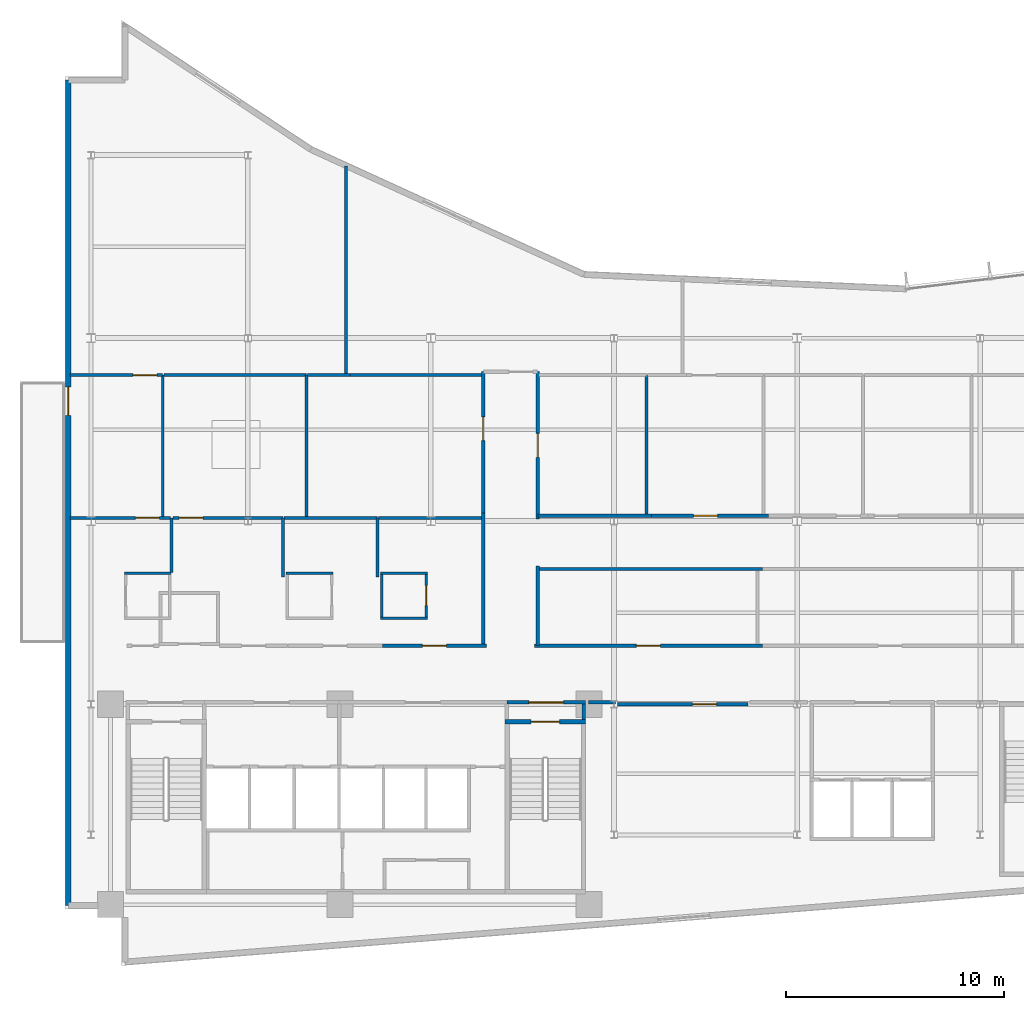
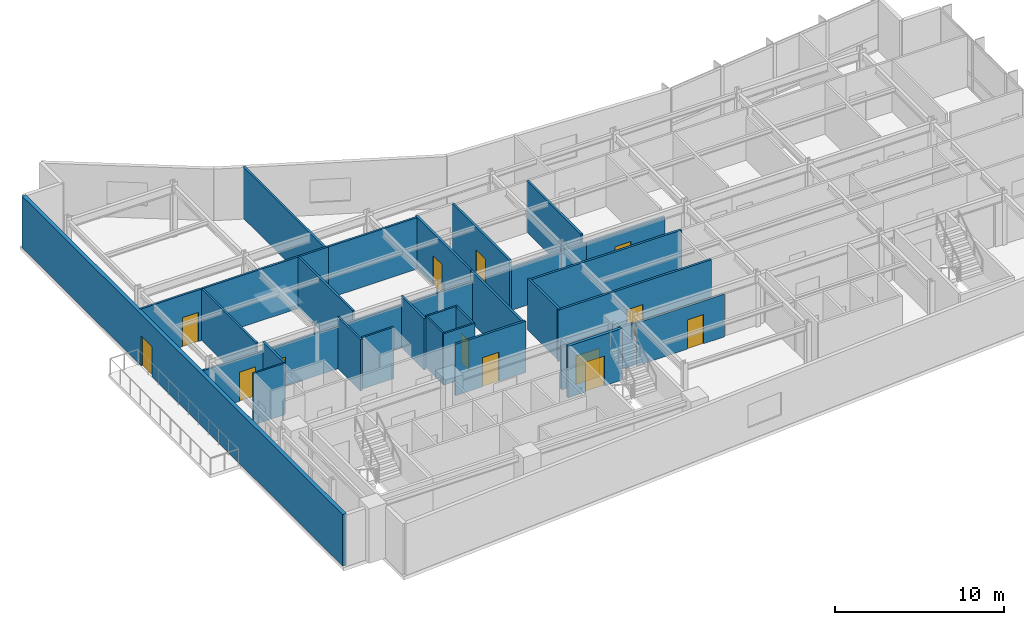
# One storey, part 11 of 17: 36 walls, 13 doors, 13 openings.
"""IFC4 building model written with IfcOpenShell, lengths in metres."""

import ifcopenshell
import ifcopenshell.guid

model = None  # the IFC model being written
_history = None  # IfcOwnerHistory: only IFC2X3 demands one
_inside = {}  # id of a spatial element -> (the spatial element, [elements in it])
_under = {}  # id of a project, library or spatial element -> (it, [spatial elements below it])
_declared = {}  # id of a project -> (the project, [libraries it declares])
_typed = {}  # id of a type object -> (the type object, [elements of that type])
_made_of = {}  # id of a material, layer set ... -> (it, [elements and type objects made of it])


def new_model(schema):
    """Start an empty IFC model of exactly this schema.

    Asked for "IFC4X3", IfcOpenShell would pick the latest addendum, in which some entities
    have other attributes; the version numbers below select the first issue.
    IFC2X3 requires an IfcOwnerHistory on every rooted entity: one is made here for all.
    """
    global model, _history
    if schema == "IFC4X3":
        model = ifcopenshell.file(schema_version=(4, 3, 0, 0))
    else:
        model = ifcopenshell.file(schema=schema)
    _inside.clear()
    _under.clear()
    _declared.clear()
    _typed.clear()
    _made_of.clear()
    _history = None
    if model.schema == "IFC2X3":
        org = make("IfcOrganization", Name="unknown")
        user = make(
            "IfcPersonAndOrganization",
            ThePerson=make("IfcPerson", FamilyName="unknown"),
            TheOrganization=org,
        )
        app = make(
            "IfcApplication",
            ApplicationDeveloper=org,
            Version="unknown",
            ApplicationFullName="unknown",
            ApplicationIdentifier="unknown",
        )
        _history = make(
            "IfcOwnerHistory",
            OwningUser=user,
            OwningApplication=app,
            ChangeAction="ADDED",
            CreationDate=0,
        )
    return model


def make(cls, **values):
    """One entity of the class cls with the attributes given. An attribute that is None is left unset."""
    return model.create_entity(
        cls, **{name: value for name, value in values.items() if value is not None}
    )


def rooted(cls, **values):
    """An entity with a GlobalId (a new one), such as an element, a storey or a relation."""
    return make(cls, GlobalId=ifcopenshell.guid.new(), OwnerHistory=_history, **values)


def si_unit(unit_type, name, prefix=None):
    """IfcSIUnit, for example si_unit("LENGTHUNIT", "METRE", prefix="MILLI")."""
    return make("IfcSIUnit", UnitType=unit_type, Prefix=prefix, Name=name)


def assignment(units):
    """IfcUnitAssignment: the units of a project."""
    return None if units is None else make("IfcUnitAssignment", Units=units)


def point(xyz):
    """IfcCartesianPoint."""
    return None if xyz is None else make("IfcCartesianPoint", Coordinates=xyz)


def direction(xyz):
    """IfcDirection."""
    return None if xyz is None else make("IfcDirection", DirectionRatios=xyz)


def frame(location, z_axis=None, x_axis=None):
    """IfcAxis2Placement3D, a coordinate frame: its origin and axes. An axis left out is left unset."""
    return make(
        "IfcAxis2Placement3D",
        Location=point(location),
        Axis=direction(z_axis),
        RefDirection=direction(x_axis),
    )


def frame_2d(location, x_axis=None):
    """IfcAxis2Placement2D, a coordinate frame in the plane: its origin and x axis."""
    return make(
        "IfcAxis2Placement2D", Location=point(location), RefDirection=direction(x_axis)
    )


def origin():
    """The frame at (0, 0, 0) with its axes left unset."""
    return frame((0.0, 0.0, 0.0))


def place(relative_to, where):
    """IfcLocalPlacement: puts the frame where relative to a parent placement (None: the world)."""
    return make(
        "IfcLocalPlacement", PlacementRelTo=relative_to, RelativePlacement=where
    )


def context(
    kind, dimensions, precision=None, world=None, true_north=None, identifier=None
):
    """IfcGeometricRepresentationContext, for example the 3D "Model" context."""
    return make(
        "IfcGeometricRepresentationContext",
        ContextIdentifier=identifier,
        ContextType=kind,
        CoordinateSpaceDimension=dimensions,
        Precision=precision,
        WorldCoordinateSystem=world,
        TrueNorth=true_north,
    )


def subcontext(parent, identifier, kind, view, scale=None):
    """IfcGeometricRepresentationSubContext, for example "Body" below "Model"."""
    return make(
        "IfcGeometricRepresentationSubContext",
        ContextIdentifier=identifier,
        ContextType=kind,
        ParentContext=parent,
        TargetScale=scale,
        TargetView=view,
    )


def project(units=None, contexts=None):
    """IfcProject with its units and contexts."""
    return rooted(
        "IfcProject",
        Name="project",
        RepresentationContexts=contexts,
        UnitsInContext=assignment(units),
    )


def spatial(cls, under=None, at=None, **own):
    """A site, building, storey or space (cls), placed at a placement, below another one or the project."""
    s = rooted(cls, ObjectPlacement=at, **own)
    if under is not None:
        _under.setdefault(under.id(), (under, []))[1].append(s)
    return s


def profile(cls, at=None, kind="AREA", **sizes):
    """A parametric profile (cls). Its sizes go by their IFC names, for example OverallWidth=200.0."""
    return make(cls, ProfileType=kind, Position=at, **sizes)


def rectangle(**sizes):
    """IfcRectangleProfileDef."""
    return profile("IfcRectangleProfileDef", **sizes)


def extrude(swept, where, along, depth):
    """IfcExtrudedAreaSolid: the profile swept, set in the frame where, extruded along a direction by depth."""
    return make(
        "IfcExtrudedAreaSolid",
        SweptArea=swept,
        Position=where,
        ExtrudedDirection=direction(along),
        Depth=depth,
    )


def shape(context_of_items, identifier, shape_type, items):
    """IfcShapeRepresentation: the items that make up one representation, for example the "Body"."""
    return make(
        "IfcShapeRepresentation",
        ContextOfItems=context_of_items,
        RepresentationIdentifier=identifier,
        RepresentationType=shape_type,
        Items=items,
    )


def material(Name=None, Category=None):
    """IfcMaterial."""
    return make("IfcMaterial", Name=Name, Category=Category)


def layer(
    of_material, thickness, ventilated=None, Name=None, Category=None, Priority=None
):
    """IfcMaterialLayer: one layer of a wall or slab, of a material (None: an air gap)."""
    return make(
        "IfcMaterialLayer",
        Material=of_material,
        LayerThickness=thickness,
        IsVentilated=ventilated,
        Name=Name,
        Category=Category,
        Priority=Priority,
    )


def layer_set(layers, Name=None):
    """IfcMaterialLayerSet."""
    return make("IfcMaterialLayerSet", MaterialLayers=layers, LayerSetName=Name)


def made_of(thing, what):
    """Note that an element or type object is made of a material, layer set ...; save() writes the relation."""
    if what is not None:
        _made_of.setdefault(what.id(), (what, []))[1].append(thing)
    return thing


def type_object(cls, material=None, **own):
    """A type object (cls), such as IfcWallType, which elements share."""
    return made_of(rooted(cls, **own), material)


def element(
    cls,
    number,
    at=None,
    inside=None,
    cuts=None,
    type_object=None,
    material=None,
    context=None,
    identifier="Body",
    shape_type=None,
    held_by="IfcProductDefinitionShape",
    body=None,
    shapes=None,
    **own,
):
    """One element of the class cls, such as IfcWall. Its Tag is "e" and its number.

    at: its placement. inside: the storey or other place that contains it. cuts: it is an
    opening in that element (IfcRelVoidsElement). A single representation is given by context,
    identifier, shape_type and body (its items); several are given by shapes. held_by: the class
    of the entity that holds the representations. save() writes the other relations.
    """
    e = rooted(cls, Tag="e%d" % number, ObjectPlacement=at, **own)
    if body is not None:
        shapes = [shape(context, identifier, shape_type, body)]
    if shapes is not None:
        e.Representation = make(held_by, Representations=shapes)
    if inside is not None:
        _inside.setdefault(inside.id(), (inside, []))[1].append(e)
    if cuts is not None:
        rooted(
            "IfcRelVoidsElement", RelatingBuildingElement=cuts, RelatedOpeningElement=e
        )
    if type_object is not None:
        _typed.setdefault(type_object.id(), (type_object, []))[1].append(e)
    return made_of(e, material)


def fill(opening, filler):
    """IfcRelFillsElement: the door or window that sits in an opening."""
    return rooted(
        "IfcRelFillsElement",
        RelatingOpeningElement=opening,
        RelatedBuildingElement=filler,
    )


def aggregate(whole, parts):
    """IfcRelAggregates: a whole, such as a stair, and the parts it consists of."""
    return rooted("IfcRelAggregates", RelatingObject=whole, RelatedObjects=parts)


def save(model, path):
    """Write the relations noted so far, then the file.

    IfcRelAggregates (storeys below a building ...), IfcRelContainedInSpatialStructure (elements
    in a storey), IfcRelDefinesByType, IfcRelAssociatesMaterial and IfcRelDeclares: one each for
    every whole, place, type object, material and project.
    """
    for whole, parts in _under.values():
        aggregate(whole, parts)
    for where, things in _inside.values():
        rooted(
            "IfcRelContainedInSpatialStructure",
            RelatedElements=things,
            RelatingStructure=where,
        )
    for kind, things in _typed.values():
        rooted("IfcRelDefinesByType", RelatedObjects=things, RelatingType=kind)
    for what, things in _made_of.values():
        rooted("IfcRelAssociatesMaterial", RelatedObjects=things, RelatingMaterial=what)
    for by, libraries in _declared.values():
        rooted("IfcRelDeclares", RelatingContext=by, RelatedDefinitions=libraries)
    model.write(path)


model = new_model("IFC4")

# Units and contexts
model_context = context("Model", 3, precision=1e-05, world=origin(), true_north=direction((0.0, 1.0)))
body_context = subcontext(model_context, "Body", "Model", "MODEL_VIEW")
ifc_project = project(units=[si_unit("LENGTHUNIT", "METRE"), si_unit("AREAUNIT", "SQUARE_METRE"), si_unit("VOLUMEUNIT", "CUBIC_METRE"), si_unit("PLANEANGLEUNIT", "RADIAN"), si_unit("MASSUNIT", "GRAM", prefix="KILO")], contexts=[model_context])

# Site, building, storey
site_placement = place(None, origin())
site = spatial("IfcSite", under=ifc_project, at=site_placement, CompositionType="ELEMENT")
building_placement = place(site_placement, origin())
building = spatial("IfcBuilding", under=site, at=building_placement, Name="Varnakote Quay Hospital", CompositionType="ELEMENT")
storey_placement = place(building_placement, frame((0.0, 0.0, 127.050048828125)))
storey = spatial("IfcBuildingStorey", under=building, at=storey_placement, Name="L31", CompositionType="ELEMENT", Elevation=127.050048828125)

# Wall, opening, door
ifc_material_1 = material(Name="Fire-rated acoustic gypsum stud wall", Category="gypsum")
ifc_layer_1 = layer(ifc_material_1, 0.159912109375)
ifc_layer_set_1 = layer_set([ifc_layer_1], Name="Fire-rated acoustic gypsum stud wall")
wall_type_1 = type_object("IfcWallType", Name="WL-COMP-160", PredefinedType="PARTITIONING", material=ifc_layer_set_1)
wall_1_placement = place(storey_placement, frame((20.280029296875, 12.080078125, 0.0), z_axis=(0.0, 0.0, 1.0), x_axis=(1.0, 0.0, 0.0)))
wall_1 = element("IfcWall", 1, at=wall_1_placement, inside=storey, type_object=wall_type_1, Name="L31 East Stair Vestibule Smoke Wall", PredefinedType="PARTITIONING", context=body_context, shape_type="SweptSolid", body=[
    extrude(rectangle(XDim=3.619873046875, YDim=0.159912109375, at=frame_2d((1.81005859375, 0.0))), origin(), (0.0, 0.0, 1.0), 3.0830078125),
])
opening_1_placement = place(wall_1_placement, frame((1.010009765625, 0.0, 0.0)))
opening_1 = element("IfcOpeningElement", 2, at=opening_1_placement, cuts=wall_1, Name="Opening D-ST2L-L31", PredefinedType="OPENING", context=body_context, shape_type="SweptSolid", body=[
    extrude(rectangle(XDim=1.60009765625, YDim=2.050048828125, at=frame_2d((0.800048828125, 1.02490234375))), frame((0.0, 0.08984375, 0.0), z_axis=(0.0, -1.0, 0.0), x_axis=(1.0, 0.0, 0.0)), (0.0, 0.0, 1.0), 0.179931640625),
])
ifc_material_2 = material(Name="Fire-rated double smoke lobby door")
door_type_1 = type_object("IfcDoorType", Name="DR-LOBBY-FD60S-1600x2150", OperationType="NOTDEFINED", PredefinedType="DOOR", material=ifc_material_2)
door_1_placement = place(opening_1_placement, origin())
door_1 = element("IfcDoor", 3, at=door_1_placement, inside=storey, type_object=door_type_1, Name="L31 East Stair Vestibule Smoke Door", OperationType="DOUBLE_DOOR_SINGLE_SWING", OverallHeight=2.050048828125, OverallWidth=1.60009765625, PredefinedType="DOOR", context=body_context, shape_type="SweptSolid", body=[
    extrude(rectangle(XDim=1.60009765625, YDim=2.050048828125, at=frame_2d((0.800048828125, 1.02490234375))), frame((0.0, 0.02490234375, 0.0), z_axis=(0.0, -1.0, 0.0), x_axis=(1.0, 0.0, 0.0)), (0.0, 0.0, 1.0), 0.050048828125),
])
fill(opening_1, door_1)

# Walls
wall_2_placement = place(storey_placement, frame((23.820068359375, 11.300048828125, 0.0), z_axis=(0.0, 0.0, 1.0), x_axis=(0.0, 1.0, 0.0)))
element("IfcWall", 4, at=wall_2_placement, inside=storey, type_object=wall_type_1, Name="L31 East Stair Vestibule East Wall", PredefinedType="PARTITIONING", context=body_context, shape_type="SweptSolid", body=[
    extrude(rectangle(XDim=0.699951171875, YDim=0.159912109375, at=frame_2d((0.35009765625, 0.0))), origin(), (0.0, 0.0, 1.0), 3.7099609375),
])
wall_3_placement = place(storey_placement, frame((24.02001953125, 12.080078125, 0.0), z_axis=(0.0, 0.0, 1.0), x_axis=(1.0, 0.0, 0.0)))
element("IfcWall", 5, at=wall_3_placement, inside=storey, type_object=wall_type_1, Name="L31 Corridor South Gap Wall", PredefinedType="PARTITIONING", context=body_context, shape_type="SweptSolid", body=[
    extrude(rectangle(XDim=1.2451171875, YDim=0.159912109375, at=frame_2d((0.62255859375, 0.0))), origin(), (0.0, 0.0, 1.0), 3.0830078125),
])
ifc_material_3 = material(Name="Moisture-resistant bathroom partition", Category="gypsum")
ifc_layer_2 = layer(ifc_material_3, 0.114990234375)
ifc_layer_set_2 = layer_set([ifc_layer_2], Name="Moisture-resistant bathroom partition")
wall_type_2 = type_object("IfcWallType", Name="WL-ENS-115", PredefinedType="PARTITIONING", material=ifc_layer_set_2)
for number, where, z_axis, x_axis, name in (
    (6, (2.72509765625, 18.017578125, 0.0), (0.0, 0.0, 1.0), (1.0, 0.0, 0.0), "L31 Inpatient En-Suite Bathroom 01 N Wall"),
    (7, (10.14501953125, 18.017578125, 0.0), (0.0, 0.0, 1.0), (1.0, 0.0, 0.0), "L31 Inpatient En-Suite Bathroom 02 N Wall"),
    (8, (14.485107421875, 15.952392578125, 0.0), (0.0, 0.0, 1.0), (1.0, 0.0, 0.0), "L31 Inpatient En-Suite Bathroom 03 S Wall"),
    (9, (14.485107421875, 18.017578125, 0.0), (0.0, 0.0, 1.0), (1.0, 0.0, 0.0), "L31 Inpatient En-Suite Bathroom 03 N Wall"),
):
    element("IfcWall", number, at=place(storey_placement, frame(where, z_axis=z_axis, x_axis=x_axis)), inside=storey, type_object=wall_type_2, Name=name, PredefinedType="PARTITIONING", context=body_context, shape_type="SweptSolid", body=[
        extrude(rectangle(XDim=2.14990234375, YDim=0.114990234375, at=frame_2d((1.074951171875, 0.0))), origin(), (0.0, 0.0, 1.0), 3.7099609375),
    ])
wall_4_placement = place(storey_placement, frame((14.54248046875, 16.010009765625, 0.0), z_axis=(0.0, 0.0, 1.0), x_axis=(0.0, 1.0, 0.0)))
element("IfcWall", 10, at=wall_4_placement, inside=storey, type_object=wall_type_2, Name="L31 Inpatient En-Suite Bathroom 03 W Wall", PredefinedType="PARTITIONING", context=body_context, shape_type="SweptSolid", body=[
    extrude(rectangle(XDim=1.949951171875, YDim=0.114990234375, at=frame_2d((0.97509765625, 0.0))), origin(), (0.0, 0.0, 1.0), 3.7099609375),
])

# Wall, opening, door
wall_5_placement = place(storey_placement, frame((16.577392578125, 16.010009765625, 0.0), z_axis=(0.0, 0.0, 1.0), x_axis=(0.0, 1.0, 0.0)))
wall_5 = element("IfcWall", 11, at=wall_5_placement, inside=storey, type_object=wall_type_2, Name="L31 Inpatient En-Suite Bathroom 03 E Wall", PredefinedType="PARTITIONING", context=body_context, shape_type="SweptSolid", body=[
    extrude(rectangle(XDim=1.949951171875, YDim=0.114990234375, at=frame_2d((0.97509765625, 0.0))), origin(), (0.0, 0.0, 1.0), 3.7099609375),
])
opening_2_placement = place(wall_5_placement, frame((0.514892578125, 0.0, 0.0)))
opening_2 = element("IfcOpeningElement", 12, at=opening_2_placement, cuts=wall_5, Name="Opening D-L31-ENS03", PredefinedType="OPENING", context=body_context, shape_type="SweptSolid", body=[
    extrude(rectangle(XDim=0.919921875, YDim=2.10009765625, at=frame_2d((0.4599609375, 1.050048828125))), frame((0.0, 0.0673828125, 0.0), z_axis=(0.0, -1.0, 0.0), x_axis=(1.0, 0.0, 0.0)), (0.0, 0.0, 1.0), 0.135009765625),
])
ifc_material_4 = material(Name="Moisture-sealed en-suite bathroom door")
door_type_2 = type_object("IfcDoorType", Name="DR-ENS-920x2100", OperationType="NOTDEFINED", PredefinedType="DOOR", material=ifc_material_4)
door_2_placement = place(opening_2_placement, origin())
door_2 = element("IfcDoor", 13, at=door_2_placement, inside=storey, type_object=door_type_2, Name="L31 Inpatient En-Suite Bathroom 03 Door", OperationType="SINGLE_SWING_RIGHT", OverallHeight=2.10009765625, OverallWidth=0.919921875, PredefinedType="DOOR", context=body_context, shape_type="SweptSolid", body=[
    extrude(rectangle(XDim=0.919921875, YDim=2.10009765625, at=frame_2d((0.4599609375, 1.050048828125))), frame((0.0, 0.02490234375, 0.0), z_axis=(0.0, -1.0, 0.0), x_axis=(1.0, 0.0, 0.0)), (0.0, 0.0, 1.0), 0.050048828125),
])
fill(opening_2, door_2)

ifc_material_5 = material(Name="Precast concrete N50 (f'c 50 MPa)", Category="concrete")
ifc_layer_3 = layer(ifc_material_5, 0.260009765625)
ifc_layer_set_3 = layer_set([ifc_layer_3], Name="Precast concrete N50 (f'c 50 MPa)")
wall_type_3 = type_object("IfcWallType", Name="WL-EXT-BRICK-260", PredefinedType="STANDARD", material=ifc_layer_set_3)
wall_6_placement = place(storey_placement, frame((0.159912109375, 40.639892578125, 0.0), z_axis=(0.0, 0.0, 1.0), x_axis=(0.0, -1.0, 0.0)))
wall_6 = element("IfcWall", 14, at=wall_6_placement, inside=storey, type_object=wall_type_3, Name="L31 Healing Terrace Portal Brick Wall", PredefinedType="STANDARD", context=body_context, shape_type="SweptSolid", body=[
    extrude(rectangle(XDim=37.8798828125, YDim=0.260009765625, at=frame_2d((18.93994140625, 0.0))), origin(), (0.0, 0.0, 1.0), 3.7099609375),
])
opening_3_placement = place(wall_6_placement, frame((14.0810546875, 0.0, 0.0)))
opening_3 = element("IfcOpeningElement", 15, at=opening_3_placement, cuts=wall_6, Name="Opening DT-L31", PredefinedType="OPENING", context=body_context, shape_type="SweptSolid", body=[
    extrude(rectangle(XDim=1.300048828125, YDim=2.14990234375, at=frame_2d((0.64990234375, 1.074951171875))), frame((0.0, 0.139892578125, 0.0), z_axis=(0.0, -1.0, 0.0), x_axis=(1.0, 0.0, 0.0)), (0.0, 0.0, 1.0), 0.280029296875),
])
ifc_material_6 = material(Name="Anodised aluminium glazed terrace door", Category="aluminium")
door_type_3 = type_object("IfcDoorType", Name="DR-EXT-TERR-1300x2150", OperationType="NOTDEFINED", PredefinedType="DOOR", material=ifc_material_6)
door_3_placement = place(opening_3_placement, origin())
door_3 = element("IfcDoor", 16, at=door_3_placement, inside=storey, type_object=door_type_3, Name="L31 Waterfront Healing Terrace Door", OperationType="SINGLE_SWING_RIGHT", OverallHeight=2.14990234375, OverallWidth=1.300048828125, PredefinedType="DOOR", context=body_context, shape_type="SweptSolid", body=[
    extrude(rectangle(XDim=1.300048828125, YDim=2.14990234375, at=frame_2d((0.64990234375, 1.074951171875))), frame((0.0, 0.02490234375, 0.0), z_axis=(0.0, -1.0, 0.0), x_axis=(1.0, 0.0, 0.0)), (0.0, 0.0, 1.0), 0.050048828125),
])
fill(opening_3, door_3)

ifc_material_7 = material(Name="Concrete N50 (f'c 50 MPa)", Category="concrete")
ifc_layer_4 = layer(ifc_material_7, 0.199951171875)
ifc_layer_set_4 = layer_set([ifc_layer_4], Name="Concrete N50 (f'c 50 MPa)")
wall_type_4 = type_object("IfcWallType", Name="WL-SHAFT-N50-200", PredefinedType="SHEAR", material=ifc_layer_set_4)
wall_7_placement = place(storey_placement, frame((20.199951171875, 11.199951171875, 0.0), z_axis=(0.0, 0.0, 1.0), x_axis=(1.0, 0.0, 0.0)))
wall_7 = element("IfcWall", 17, at=wall_7_placement, inside=storey, type_object=wall_type_4, Name="L31 Stair ST2 Exit Wall", PredefinedType="SHEAR", context=body_context, shape_type="SweptSolid", body=[
    extrude(rectangle(XDim=3.699951171875, YDim=0.199951171875, at=frame_2d((1.85009765625, 0.0))), origin(), (0.0, 0.0, 1.0), 3.7099609375),
])
opening_4_placement = place(wall_7_placement, frame((1.199951171875, 0.0, 0.0)))
opening_4 = element("IfcOpeningElement", 18, at=opening_4_placement, cuts=wall_7, Name="Opening D-ST2-L31", PredefinedType="OPENING", context=body_context, shape_type="SweptSolid", body=[
    extrude(rectangle(XDim=1.300048828125, YDim=2.14990234375, at=frame_2d((0.64990234375, 1.074951171875))), frame((0.0, 0.10986328125, 0.0), z_axis=(0.0, -1.0, 0.0), x_axis=(1.0, 0.0, 0.0)), (0.0, 0.0, 1.0), 0.219970703125),
])
ifc_material_8 = material(Name="Fire-rated ceramic-glazed timber exit door", Category="wood")
door_type_4 = type_object("IfcDoorType", Name="DR-STAIR-FD60S-1300x2150", OperationType="NOTDEFINED", PredefinedType="DOOR", material=ifc_material_8)
door_4_placement = place(opening_4_placement, origin())
door_4 = element("IfcDoor", 19, at=door_4_placement, inside=storey, type_object=door_type_4, Name="L31 Stair ST2 Fire Exit Door", OperationType="SINGLE_SWING_RIGHT", OverallHeight=2.14990234375, OverallWidth=1.300048828125, PredefinedType="DOOR", context=body_context, shape_type="SweptSolid", body=[
    extrude(rectangle(XDim=1.300048828125, YDim=2.14990234375, at=frame_2d((0.64990234375, 1.074951171875))), frame((0.0, 0.02490234375, 0.0), z_axis=(0.0, -1.0, 0.0), x_axis=(1.0, 0.0, 0.0)), (0.0, 0.0, 1.0), 0.050048828125),
])
fill(opening_4, door_4)

# Wall
ifc_material_9 = material(Name="Smoke-proof clinical partition", Category="gypsum")
ifc_layer_5 = layer(ifc_material_9, 0.135009765625)
ifc_layer_set_5 = layer_set([ifc_layer_5], Name="Smoke-proof clinical partition")
wall_type_5 = type_object("IfcWallType", Name="WL-SMOKE-135", PredefinedType="PARTITIONING", material=ifc_layer_set_5)
wall_8_placement = place(storey_placement, frame((4.89990234375, 18.0400390625, 0.0), z_axis=(0.0, 0.0, 1.0), x_axis=(0.0, 1.0, 0.0)))
element("IfcWall", 20, at=wall_8_placement, inside=storey, type_object=wall_type_5, Name="L31 Clinical Interior Partition", PredefinedType="PARTITIONING", context=body_context, shape_type="SweptSolid", body=[
    extrude(rectangle(XDim=2.510009765625, YDim=0.135009765625, at=frame_2d((1.2548828125, 0.0))), origin(), (0.0, 0.0, 1.0), 3.7099609375),
])

# Wall, opening, door
wall_9_placement = place(storey_placement, frame((4.842529296875, 20.550048828125, 0.0), z_axis=(0.0, 0.0, 1.0), x_axis=(-1.0, 0.0, 0.0)))
wall_9 = element("IfcWall", 21, at=wall_9_placement, inside=storey, type_object=wall_type_5, Name="L31 Clinical Interior Partition", PredefinedType="PARTITIONING", context=body_context, shape_type="SweptSolid", body=[
    extrude(rectangle(XDim=4.6025390625, YDim=0.135009765625, at=frame_2d((2.30126953125, 0.0))), origin(), (0.0, 0.0, 1.0), 3.0830078125),
])
opening_5_placement = place(wall_9_placement, frame((0.51025390625, 0.0, 0.0)))
opening_5 = element("IfcOpeningElement", 22, at=opening_5_placement, cuts=wall_9, Name="Opening D-L31-DLNG", PredefinedType="OPENING", context=body_context, shape_type="SweptSolid", body=[
    extrude(rectangle(XDim=1.10009765625, YDim=2.10009765625, at=frame_2d((0.550048828125, 1.050048828125))), frame((0.0, 0.077392578125, 0.0), z_axis=(0.0, -1.0, 0.0), x_axis=(1.0, 0.0, 0.0)), (0.0, 0.0, 1.0), 0.155029296875),
])
ifc_material_10 = material(Name="Acoustic timber clinical consult door", Category="wood")
door_type_5 = type_object("IfcDoorType", Name="DR-CLIN-FD30S-1100x2100", OperationType="NOTDEFINED", PredefinedType="DOOR", material=ifc_material_10)
door_5_placement = place(opening_5_placement, origin())
door_5 = element("IfcDoor", 23, at=door_5_placement, inside=storey, type_object=door_type_5, Name="L31 Waterfront Patient & Family Dayroom Door", OperationType="SINGLE_SWING_RIGHT", OverallHeight=2.10009765625, OverallWidth=1.10009765625, PredefinedType="DOOR", context=body_context, shape_type="SweptSolid", body=[
    extrude(rectangle(XDim=1.10009765625, YDim=2.10009765625, at=frame_2d((0.550048828125, 1.050048828125))), frame((0.0, 0.02490234375, 0.0), z_axis=(0.0, -1.0, 0.0), x_axis=(1.0, 0.0, 0.0)), (0.0, 0.0, 1.0), 0.050048828125),
])
fill(opening_5, door_5)

# Wall
wall_10_placement = place(storey_placement, frame((10.0, 17.83251953125, 0.0), z_axis=(0.0, 0.0, 1.0), x_axis=(0.0, 1.0, 0.0)))
element("IfcWall", 24, at=wall_10_placement, inside=storey, type_object=wall_type_5, Name="L31 Clinical Interior Partition", PredefinedType="PARTITIONING", context=body_context, shape_type="SweptSolid", body=[
    extrude(rectangle(XDim=2.717529296875, YDim=0.135009765625, at=frame_2d((1.35888671875, 0.0))), origin(), (0.0, 0.0, 1.0), 3.7099609375),
])

# Wall, opening, door
wall_11_placement = place(storey_placement, frame((10.0, 20.550048828125, 0.0), z_axis=(0.0, 0.0, 1.0), x_axis=(-1.0, 0.0, 0.0)))
wall_11 = element("IfcWall", 25, at=wall_11_placement, inside=storey, type_object=wall_type_5, Name="L31 Clinical Interior Partition", PredefinedType="PARTITIONING", context=body_context, shape_type="SweptSolid", body=[
    extrude(rectangle(XDim=5.04248046875, YDim=0.135009765625, at=frame_2d((2.521240234375, 0.0))), origin(), (0.0, 0.0, 1.0), 3.0830078125),
])
opening_6_placement = place(wall_11_placement, frame((3.65380859375, 0.0, 0.0)))
opening_6 = element("IfcOpeningElement", 26, at=opening_6_placement, cuts=wall_11, Name="Opening D-L31-MD06", PredefinedType="OPENING", context=body_context, shape_type="SweptSolid", body=[
    extrude(rectangle(XDim=1.10009765625, YDim=2.10009765625, at=frame_2d((0.550048828125, 1.050048828125))), frame((0.0, 0.077392578125, 0.0), z_axis=(0.0, -1.0, 0.0), x_axis=(1.0, 0.0, 0.0)), (0.0, 0.0, 1.0), 0.155029296875),
])
door_6_placement = place(opening_6_placement, origin())
door_6 = element("IfcDoor", 27, at=door_6_placement, inside=storey, type_object=door_type_5, Name="L31 Maternity Assessment Treatment Suite Door", OperationType="SINGLE_SWING_LEFT", OverallHeight=2.10009765625, OverallWidth=1.10009765625, PredefinedType="DOOR", context=body_context, shape_type="SweptSolid", body=[
    extrude(rectangle(XDim=1.10009765625, YDim=2.10009765625, at=frame_2d((0.550048828125, 1.050048828125))), frame((0.0, 0.02490234375, 0.0), z_axis=(0.0, -1.0, 0.0), x_axis=(1.0, 0.0, 0.0)), (0.0, 0.0, 1.0), 0.050048828125),
])
fill(opening_6, door_6)

# Walls
wall_12_placement = place(storey_placement, frame((14.340087890625, 17.83251953125, 0.0), z_axis=(0.0, 0.0, 1.0), x_axis=(0.0, 1.0, 0.0)))
element("IfcWall", 28, at=wall_12_placement, inside=storey, type_object=wall_type_5, Name="L31 Clinical Interior Partition", PredefinedType="PARTITIONING", context=body_context, shape_type="SweptSolid", body=[
    extrude(rectangle(XDim=2.717529296875, YDim=0.135009765625, at=frame_2d((1.35888671875, 0.0))), origin(), (0.0, 0.0, 1.0), 3.7099609375),
])
wall_13_placement = place(storey_placement, frame((14.340087890625, 20.550048828125, 0.0), z_axis=(0.0, 0.0, 1.0), x_axis=(-1.0, 0.0, 0.0)))
element("IfcWall", 29, at=wall_13_placement, inside=storey, type_object=wall_type_5, Name="L31 Clinical Interior Partition", PredefinedType="PARTITIONING", context=body_context, shape_type="SweptSolid", body=[
    extrude(rectangle(XDim=4.282470703125, YDim=0.135009765625, at=frame_2d((2.14111328125, 0.0))), origin(), (0.0, 0.0, 1.0), 3.0830078125),
])
wall_14_placement = place(storey_placement, frame((19.1201171875, 20.550048828125, 0.0), z_axis=(0.0, 0.0, 1.0), x_axis=(-1.0, 0.0, 0.0)))
element("IfcWall", 30, at=wall_14_placement, inside=storey, type_object=wall_type_5, Name="L31 Clinical Interior Partition", PredefinedType="PARTITIONING", context=body_context, shape_type="SweptSolid", body=[
    extrude(rectangle(XDim=4.72265625, YDim=0.135009765625, at=frame_2d((2.361328125, 0.0))), origin(), (0.0, 0.0, 1.0), 3.0830078125),
])
wall_15_placement = place(storey_placement, frame((4.489990234375, 20.607421875, 0.0), z_axis=(0.0, 0.0, 1.0), x_axis=(0.0, 1.0, 0.0)))
element("IfcWall", 31, at=wall_15_placement, inside=storey, type_object=wall_type_5, Name="L31 Clinical Interior Partition", PredefinedType="PARTITIONING", context=body_context, shape_type="SweptSolid", body=[
    extrude(rectangle(XDim=6.49267578125, YDim=0.135009765625, at=frame_2d((3.246337890625, 0.0))), origin(), (0.0, 0.0, 1.0), 3.7099609375),
])

# Wall, opening, door
wall_16_placement = place(storey_placement, frame((4.489990234375, 27.10009765625, 0.0), z_axis=(0.0, 0.0, 1.0), x_axis=(-1.0, 0.0, 0.0)))
wall_16 = element("IfcWall", 32, at=wall_16_placement, inside=storey, type_object=wall_type_5, Name="L31 Clinical Interior Partition", PredefinedType="PARTITIONING", context=body_context, shape_type="SweptSolid", body=[
    extrude(rectangle(XDim=4.25, YDim=0.135009765625, at=frame_2d((2.125, 0.0))), origin(), (0.0, 0.0, 1.0), 3.7099609375),
])
opening_7_placement = place(wall_16_placement, frame((0.268798828125, 0.0, 0.0)))
opening_7 = element("IfcOpeningElement", 33, at=opening_7_placement, cuts=wall_16, Name="Opening D-L31-MD15", PredefinedType="OPENING", context=body_context, shape_type="SweptSolid", body=[
    extrude(rectangle(XDim=1.10009765625, YDim=2.10009765625, at=frame_2d((0.550048828125, 1.050048828125))), frame((0.0, 0.077392578125, 0.0), z_axis=(0.0, -1.0, 0.0), x_axis=(1.0, 0.0, 0.0)), (0.0, 0.0, 1.0), 0.155029296875),
])
door_7_placement = place(opening_7_placement, origin())
door_7 = element("IfcDoor", 34, at=door_7_placement, inside=storey, type_object=door_type_5, Name="L31 Perinatal Clinical Consultation Suite Door", OperationType="SINGLE_SWING_RIGHT", OverallHeight=2.10009765625, OverallWidth=1.10009765625, PredefinedType="DOOR", context=body_context, shape_type="SweptSolid", body=[
    extrude(rectangle(XDim=1.10009765625, YDim=2.10009765625, at=frame_2d((0.550048828125, 1.050048828125))), frame((0.0, 0.02490234375, 0.0), z_axis=(0.0, -1.0, 0.0), x_axis=(1.0, 0.0, 0.0)), (0.0, 0.0, 1.0), 0.050048828125),
])
fill(opening_7, door_7)

# Walls
wall_17_placement = place(storey_placement, frame((11.080078125, 20.607421875, 0.0), z_axis=(0.0, 0.0, 1.0), x_axis=(0.0, 1.0, 0.0)))
element("IfcWall", 35, at=wall_17_placement, inside=storey, type_object=wall_type_5, Name="L31 Clinical Interior Partition", PredefinedType="PARTITIONING", context=body_context, shape_type="SweptSolid", body=[
    extrude(rectangle(XDim=6.49267578125, YDim=0.135009765625, at=frame_2d((3.246337890625, 0.0))), origin(), (0.0, 0.0, 1.0), 3.7099609375),
])
wall_18_placement = place(storey_placement, frame((11.080078125, 27.10009765625, 0.0), z_axis=(0.0, 0.0, 1.0), x_axis=(-1.0, 0.0, 0.0)))
element("IfcWall", 36, at=wall_18_placement, inside=storey, type_object=wall_type_5, Name="L31 Clinical Interior Partition", PredefinedType="PARTITIONING", context=body_context, shape_type="SweptSolid", body=[
    extrude(rectangle(XDim=6.532470703125, YDim=0.135009765625, at=frame_2d((3.26611328125, 0.0))), origin(), (0.0, 0.0, 1.0), 3.7099609375),
])
wall_19_placement = place(storey_placement, frame((13.08837890625, 27.10009765625, 0.0), z_axis=(0.0, 0.0, 1.0), x_axis=(-1.0, 0.0, 0.0)))
element("IfcWall", 37, at=wall_19_placement, inside=storey, type_object=wall_type_5, Name="L31 Clinical Interior Partition", PredefinedType="PARTITIONING", context=body_context, shape_type="SweptSolid", body=[
    extrude(rectangle(XDim=1.950927734375, YDim=0.135009765625, at=frame_2d((0.9755859375, 0.0))), origin(), (0.0, 0.0, 1.0), 3.7099609375),
])
wall_20_placement = place(storey_placement, frame((19.1201171875, 27.10009765625, 0.0), z_axis=(0.0, 0.0, 1.0), x_axis=(-1.0, 0.0, 0.0)))
element("IfcWall", 38, at=wall_20_placement, inside=storey, type_object=wall_type_5, Name="L31 Clinical Interior Partition", PredefinedType="PARTITIONING", context=body_context, shape_type="SweptSolid", body=[
    extrude(rectangle(XDim=6.029541015625, YDim=0.135009765625, at=frame_2d((3.0146484375, 0.0))), origin(), (0.0, 0.0, 1.0), 3.7099609375),
])
wall_21_placement = place(storey_placement, frame((26.68994140625, 20.715087890625, 0.0), z_axis=(0.0, 0.0, 1.0), x_axis=(0.0, 1.0, 0.0)))
element("IfcWall", 39, at=wall_21_placement, inside=storey, type_object=wall_type_5, Name="L31 Clinical Interior Partition", PredefinedType="PARTITIONING", context=body_context, shape_type="SweptSolid", body=[
    extrude(rectangle(XDim=6.385009765625, YDim=0.135009765625, at=frame_2d((3.1923828125, 0.0))), origin(), (0.0, 0.0, 1.0), 3.7099609375),
])
wall_22_placement = place(storey_placement, frame((12.909912109375, 27.157470703125, 0.0), z_axis=(0.0, 0.0, 1.0), x_axis=(0.0, 1.0, 0.0)))
element("IfcWall", 40, at=wall_22_placement, inside=storey, type_object=wall_type_5, Name="L31 Clinical Interior Partition", PredefinedType="PARTITIONING", context=body_context, shape_type="SweptSolid", body=[
    extrude(rectangle(XDim=9.552734375, YDim=0.135009765625, at=frame_2d((4.7763671875, 0.0))), origin(), (0.0, 0.0, 1.0), 3.7099609375),
])

# Wall, opening, door
ifc_material_11 = material(Name="Fire-rated clinical gypsum partition", Category="gypsum")
ifc_layer_6 = layer(ifc_material_11, 0.14990234375)
ifc_layer_set_6 = layer_set([ifc_layer_6], Name="Fire-rated clinical gypsum partition")
wall_type_6 = type_object("IfcWallType", Name="WL-WARD-150", PredefinedType="PARTITIONING", material=ifc_layer_set_6)
wall_23_placement = place(storey_placement, frame((31.35009765625, 12.0, 0.0), z_axis=(0.0, 0.0, 1.0), x_axis=(-1.0, 0.0, 0.0)))
wall_23 = element("IfcWall", 41, at=wall_23_placement, inside=storey, type_object=wall_type_6, Name="L31 Clinical Interior Partition", PredefinedType="PARTITIONING", context=body_context, shape_type="SweptSolid", body=[
    extrude(rectangle(XDim=5.99560546875, YDim=0.14990234375, at=frame_2d((2.997802734375, 0.0))), origin(), (0.0, 0.0, 1.0), 3.0830078125),
])
opening_8_placement = place(wall_23_placement, frame((1.436279296875, 0.0, 0.0)))
opening_8 = element("IfcOpeningElement", 42, at=opening_8_placement, cuts=wall_23, Name="Opening D-L31-RL1", PredefinedType="OPENING", context=body_context, shape_type="SweptSolid", body=[
    extrude(rectangle(XDim=1.10009765625, YDim=2.10009765625, at=frame_2d((0.550048828125, 1.050048828125))), frame((0.0, 0.0849609375, 0.0), z_axis=(0.0, -1.0, 0.0), x_axis=(1.0, 0.0, 0.0)), (0.0, 0.0, 1.0), 0.169921875),
])
door_8_placement = place(opening_8_placement, origin())
door_8 = element("IfcDoor", 43, at=door_8_placement, inside=storey, type_object=door_type_5, Name="L31 Day Infusion Treatment Suite Door", OperationType="SINGLE_SWING_LEFT", OverallHeight=2.10009765625, OverallWidth=1.10009765625, PredefinedType="DOOR", context=body_context, shape_type="SweptSolid", body=[
    extrude(rectangle(XDim=1.10009765625, YDim=2.10009765625, at=frame_2d((0.550048828125, 1.050048828125))), frame((0.0, 0.02490234375, 0.0), z_axis=(0.0, -1.0, 0.0), x_axis=(1.0, 0.0, 0.0)), (0.0, 0.0, 1.0), 0.050048828125),
])
fill(opening_8, door_8)

wall_24_placement = place(storey_placement, frame((19.345947265625, 14.679931640625, 0.0), z_axis=(0.0, 0.0, 1.0), x_axis=(-1.0, 0.0, 0.0)))
wall_24 = element("IfcWall", 44, at=wall_24_placement, inside=storey, type_object=wall_type_6, Name="L31 Clinical Interior Partition", PredefinedType="PARTITIONING", context=body_context, shape_type="SweptSolid", body=[
    extrude(rectangle(XDim=4.77783203125, YDim=0.14990234375, at=frame_2d((2.388916015625, 0.0))), origin(), (0.0, 0.0, 1.0), 3.7099609375),
])
opening_9_placement = place(wall_24_placement, frame((1.839111328125, 0.0, 0.0)))
opening_9 = element("IfcOpeningElement", 45, at=opening_9_placement, cuts=wall_24, Name="Opening D-L31-BR03", PredefinedType="OPENING", context=body_context, shape_type="SweptSolid", body=[
    extrude(rectangle(XDim=1.10009765625, YDim=2.10009765625, at=frame_2d((0.550048828125, 1.050048828125))), frame((0.0, 0.0849609375, 0.0), z_axis=(0.0, -1.0, 0.0), x_axis=(1.0, 0.0, 0.0)), (0.0, 0.0, 1.0), 0.169921875),
])
door_9_placement = place(opening_9_placement, origin())
door_9 = element("IfcDoor", 46, at=door_9_placement, inside=storey, type_object=door_type_5, Name="L31 Inpatient Clinical Treatment Room 03 Door", OperationType="SINGLE_SWING_RIGHT", OverallHeight=2.10009765625, OverallWidth=1.10009765625, PredefinedType="DOOR", context=body_context, shape_type="SweptSolid", body=[
    extrude(rectangle(XDim=1.10009765625, YDim=2.10009765625, at=frame_2d((0.550048828125, 1.050048828125))), frame((0.0, 0.02490234375, 0.0), z_axis=(0.0, -1.0, 0.0), x_axis=(1.0, 0.0, 0.0)), (0.0, 0.0, 1.0), 0.050048828125),
])
fill(opening_9, door_9)

wall_25_placement = place(storey_placement, frame((32.006103515625, 14.679931640625, 0.0), z_axis=(0.0, 0.0, 1.0), x_axis=(-1.0, 0.0, 0.0)))
wall_25 = element("IfcWall", 47, at=wall_25_placement, inside=storey, type_object=wall_type_6, Name="L31 Clinical Interior Partition", PredefinedType="PARTITIONING", context=body_context, shape_type="SweptSolid", body=[
    extrude(rectangle(XDim=10.4521484375, YDim=0.14990234375, at=frame_2d((5.22607421875, 0.0))), origin(), (0.0, 0.0, 1.0), 3.7099609375),
])
opening_10_placement = place(wall_25_placement, frame((4.676025390625, 0.0, 0.0)))
opening_10 = element("IfcOpeningElement", 48, at=opening_10_placement, cuts=wall_25, Name="Opening D-L31-MD02", PredefinedType="OPENING", context=body_context, shape_type="SweptSolid", body=[
    extrude(rectangle(XDim=1.10009765625, YDim=2.10009765625, at=frame_2d((0.550048828125, 1.050048828125))), frame((0.0, 0.0849609375, 0.0), z_axis=(0.0, -1.0, 0.0), x_axis=(1.0, 0.0, 0.0)), (0.0, 0.0, 1.0), 0.169921875),
])
door_10_placement = place(opening_10_placement, origin())
door_10 = element("IfcDoor", 49, at=door_10_placement, inside=storey, type_object=door_type_5, Name="L31 Maternity Assessment Treatment Suite Door", OperationType="SINGLE_SWING_LEFT", OverallHeight=2.10009765625, OverallWidth=1.10009765625, PredefinedType="DOOR", context=body_context, shape_type="SweptSolid", body=[
    extrude(rectangle(XDim=1.10009765625, YDim=2.10009765625, at=frame_2d((0.550048828125, 1.050048828125))), frame((0.0, 0.02490234375, 0.0), z_axis=(0.0, -1.0, 0.0), x_axis=(1.0, 0.0, 0.0)), (0.0, 0.0, 1.0), 0.050048828125),
])
fill(opening_10, door_10)

# Walls
wall_26_placement = place(storey_placement, frame((19.199951171875, 20.77587890625, 0.0), z_axis=(0.0, 0.0, 1.0), x_axis=(0.0, -1.0, 0.0)))
element("IfcWall", 50, at=wall_26_placement, inside=storey, type_object=wall_type_6, Name="L31 Clinical Interior Partition", PredefinedType="PARTITIONING", context=body_context, shape_type="SweptSolid", body=[
    extrude(rectangle(XDim=6.075927734375, YDim=0.14990234375, at=frame_2d((3.0380859375, 0.0))), origin(), (0.0, 0.0, 1.0), 3.7099609375),
])
wall_27_placement = place(storey_placement, frame((21.699951171875, 14.699951171875, 0.0), z_axis=(0.0, 0.0, 1.0), x_axis=(0.0, 1.0, 0.0)))
element("IfcWall", 51, at=wall_27_placement, inside=storey, type_object=wall_type_6, Name="L31 Clinical Interior Partition", PredefinedType="PARTITIONING", context=body_context, shape_type="SweptSolid", body=[
    extrude(rectangle(XDim=3.64599609375, YDim=0.14990234375, at=frame_2d((1.822998046875, 0.0))), origin(), (0.0, 0.0, 1.0), 3.7099609375),
])

# Wall, opening, door
wall_28_placement = place(storey_placement, frame((19.199951171875, 27.260009765625, 0.0), z_axis=(0.0, 0.0, 1.0), x_axis=(0.0, -1.0, 0.0)))
wall_28 = element("IfcWall", 52, at=wall_28_placement, inside=storey, type_object=wall_type_6, Name="L31 Clinical Interior Partition", PredefinedType="PARTITIONING", context=body_context, shape_type="SweptSolid", body=[
    extrude(rectangle(XDim=6.48193359375, YDim=0.14990234375, at=frame_2d((3.240966796875, 0.0))), origin(), (0.0, 0.0, 1.0), 3.7099609375),
])
opening_11_placement = place(wall_28_placement, frame((2.068359375, 0.0, 0.0)))
opening_11 = element("IfcOpeningElement", 53, at=opening_11_placement, cuts=wall_28, Name="Opening D-L31-MD07", PredefinedType="OPENING", context=body_context, shape_type="SweptSolid", body=[
    extrude(rectangle(XDim=1.10009765625, YDim=2.10009765625, at=frame_2d((0.550048828125, 1.050048828125))), frame((0.0, 0.0849609375, 0.0), z_axis=(0.0, -1.0, 0.0), x_axis=(1.0, 0.0, 0.0)), (0.0, 0.0, 1.0), 0.169921875),
])
door_11_placement = place(opening_11_placement, origin())
door_11 = element("IfcDoor", 54, at=door_11_placement, inside=storey, type_object=door_type_5, Name="L31 Perinatal Clinical Consultation Suite Door", OperationType="SINGLE_SWING_LEFT", OverallHeight=2.10009765625, OverallWidth=1.10009765625, PredefinedType="DOOR", context=body_context, shape_type="SweptSolid", body=[
    extrude(rectangle(XDim=1.10009765625, YDim=2.10009765625, at=frame_2d((0.550048828125, 1.050048828125))), frame((0.0, 0.02490234375, 0.0), z_axis=(0.0, -1.0, 0.0), x_axis=(1.0, 0.0, 0.0)), (0.0, 0.0, 1.0), 0.050048828125),
])
fill(opening_11, door_11)

wall_29_placement = place(storey_placement, frame((21.699951171875, 20.50390625, 0.0), z_axis=(0.0, 0.0, 1.0), x_axis=(0.0, 1.0, 0.0)))
wall_29 = element("IfcWall", 55, at=wall_29_placement, inside=storey, type_object=wall_type_6, Name="L31 Clinical Interior Partition", PredefinedType="PARTITIONING", context=body_context, shape_type="SweptSolid", body=[
    extrude(rectangle(XDim=6.756103515625, YDim=0.14990234375, at=frame_2d((3.3779296875, 0.0))), origin(), (0.0, 0.0, 1.0), 3.7099609375),
])
opening_12_placement = place(wall_29_placement, frame((2.827880859375, 0.0, 0.0)))
opening_12 = element("IfcOpeningElement", 56, at=opening_12_placement, cuts=wall_29, Name="Opening D-L31-MD08", PredefinedType="OPENING", context=body_context, shape_type="SweptSolid", body=[
    extrude(rectangle(XDim=1.10009765625, YDim=2.10009765625, at=frame_2d((0.550048828125, 1.050048828125))), frame((0.0, 0.0849609375, 0.0), z_axis=(0.0, -1.0, 0.0), x_axis=(1.0, 0.0, 0.0)), (0.0, 0.0, 1.0), 0.169921875),
])
door_12_placement = place(opening_12_placement, origin())
door_12 = element("IfcDoor", 57, at=door_12_placement, inside=storey, type_object=door_type_5, Name="L31 Midwifery Coordination Office Door", OperationType="SINGLE_SWING_RIGHT", OverallHeight=2.10009765625, OverallWidth=1.10009765625, PredefinedType="DOOR", context=body_context, shape_type="SweptSolid", body=[
    extrude(rectangle(XDim=1.10009765625, YDim=2.10009765625, at=frame_2d((0.550048828125, 1.050048828125))), frame((0.0, 0.02490234375, 0.0), z_axis=(0.0, -1.0, 0.0), x_axis=(1.0, 0.0, 0.0)), (0.0, 0.0, 1.0), 0.050048828125),
])
fill(opening_12, door_12)

# Walls
wall_30_placement = place(storey_placement, frame((21.719970703125, 18.199951171875, 0.0), z_axis=(0.0, 0.0, 1.0), x_axis=(1.0, 0.0, 0.0)))
element("IfcWall", 58, at=wall_30_placement, inside=storey, type_object=wall_type_6, Name="L31 Clinical Interior Partition", PredefinedType="PARTITIONING", context=body_context, shape_type="SweptSolid", body=[
    extrude(rectangle(XDim=10.2861328125, YDim=0.14990234375, at=frame_2d((5.14306640625, 0.0))), origin(), (0.0, 0.0, 1.0), 3.7099609375),
])
wall_31_placement = place(storey_placement, frame((26.916015625, 20.64990234375, 0.0), z_axis=(0.0, 0.0, 1.0), x_axis=(-1.0, 0.0, 0.0)))
element("IfcWall", 59, at=wall_31_placement, inside=storey, type_object=wall_type_6, Name="L31 Clinical Interior Partition", PredefinedType="PARTITIONING", context=body_context, shape_type="SweptSolid", body=[
    extrude(rectangle(XDim=5.196044921875, YDim=0.14990234375, at=frame_2d((2.59814453125, 0.0))), origin(), (0.0, 0.0, 1.0), 3.0830078125),
])

# Wall, opening, door
wall_32_placement = place(storey_placement, frame((32.285888671875, 20.64990234375, 0.0), z_axis=(0.0, 0.0, 1.0), x_axis=(-1.0, 0.0, 0.0)))
wall_32 = element("IfcWall", 60, at=wall_32_placement, inside=storey, type_object=wall_type_6, Name="L31 Clinical Interior Partition", PredefinedType="PARTITIONING", context=body_context, shape_type="SweptSolid", body=[
    extrude(rectangle(XDim=5.367919921875, YDim=0.14990234375, at=frame_2d((2.68408203125, 0.0))), origin(), (0.0, 0.0, 1.0), 3.0830078125),
])
opening_13_placement = place(wall_32_placement, frame((2.327392578125, 0.0, 0.0)))
opening_13 = element("IfcOpeningElement", 61, at=opening_13_placement, cuts=wall_32, Name="Opening D-L31-MD09", PredefinedType="OPENING", context=body_context, shape_type="SweptSolid", body=[
    extrude(rectangle(XDim=1.10009765625, YDim=2.10009765625, at=frame_2d((0.550048828125, 1.050048828125))), frame((0.0, 0.0849609375, 0.0), z_axis=(0.0, -1.0, 0.0), x_axis=(1.0, 0.0, 0.0)), (0.0, 0.0, 1.0), 0.169921875),
])
door_13_placement = place(opening_13_placement, origin())
door_13 = element("IfcDoor", 62, at=door_13_placement, inside=storey, type_object=door_type_5, Name="L31 Paediatric Clinical Teaching Room Door", OperationType="SINGLE_SWING_RIGHT", OverallHeight=2.10009765625, OverallWidth=1.10009765625, PredefinedType="DOOR", context=body_context, shape_type="SweptSolid", body=[
    extrude(rectangle(XDim=1.10009765625, YDim=2.10009765625, at=frame_2d((0.550048828125, 1.050048828125))), frame((0.0, 0.02490234375, 0.0), z_axis=(0.0, -1.0, 0.0), x_axis=(1.0, 0.0, 0.0)), (0.0, 0.0, 1.0), 0.050048828125),
])
fill(opening_13, door_13)

save(model, "model.ifc")
